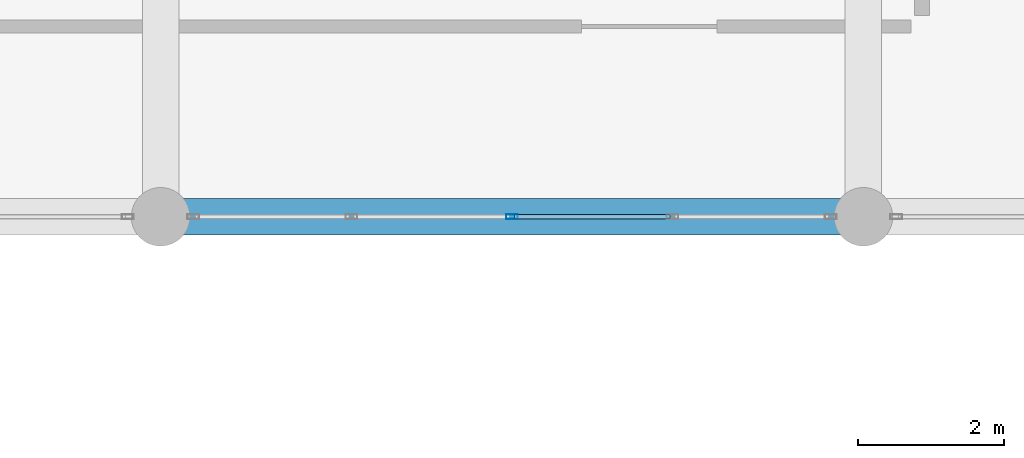
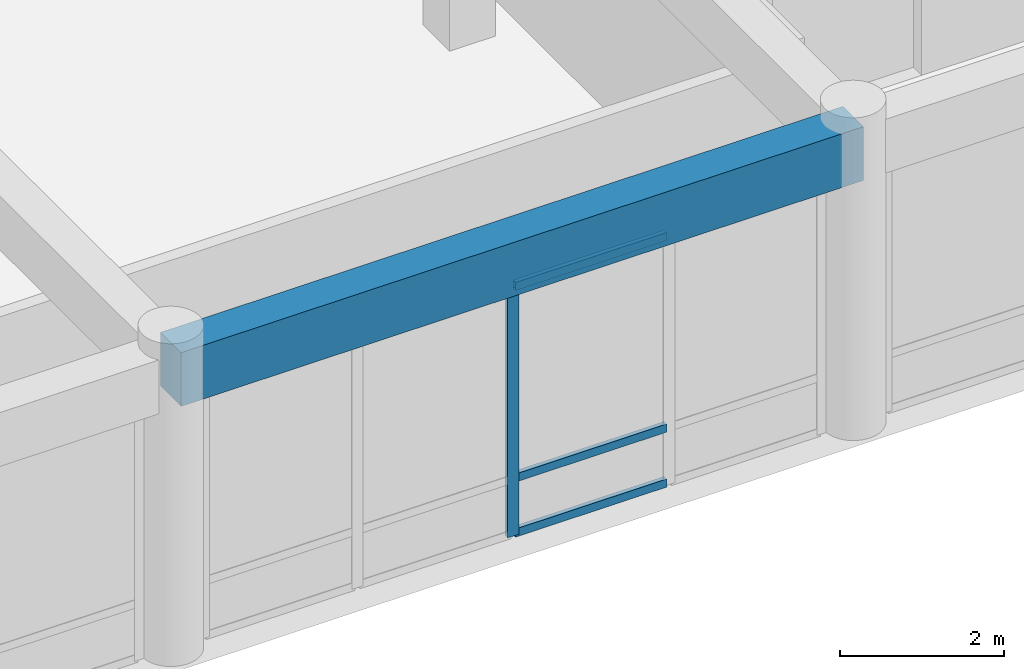
# One storey, part 23 of 101: 4 members, 1 beam, 1 element without a shape of its own.
"""IFC4 building model written with IfcOpenShell, lengths in metres."""

from ifc_helpers import new_model, si_unit, direction, frame, origin, origin_2d, place, context, subcontext, project, spatial, rectangle, hollow_rectangle, extrude, material, layer, layer_set, material_profile, profile_set, type_object, element, aggregate, save


model = new_model("IFC4")

# Units and contexts
model_context = context("Model", 3, precision=1e-05, world=origin(), true_north=direction((0.0, 1.0)))
body_context = subcontext(model_context, "Body", "Model", "MODEL_VIEW")
ifc_project = project(units=[si_unit("LENGTHUNIT", "METRE"), si_unit("AREAUNIT", "SQUARE_METRE"), si_unit("VOLUMEUNIT", "CUBIC_METRE"), si_unit("PLANEANGLEUNIT", "RADIAN"), si_unit("MASSUNIT", "GRAM", prefix="KILO")], contexts=[model_context])

# Site, building, storey
site_placement = place(None, origin())
site = spatial("IfcSite", under=ifc_project, at=site_placement, CompositionType="ELEMENT")
building_placement = place(site_placement, origin())
building = spatial("IfcBuilding", under=site, at=building_placement, Name="Nakhvara Creek Congress Hotel", CompositionType="ELEMENT")
storey_placement = place(building_placement, frame((0.0, 0.0, 16.199951171875)))
storey = spatial("IfcBuildingStorey", under=building, at=storey_placement, Name="L03", CompositionType="ELEMENT", Elevation=16.199951171875)

# Beam
ifc_material_1 = material(Name="Concrete C40/50", Category="concrete")
ifc_material_profile_1 = material_profile(ifc_material_1, rectangle(XDim=0.5, YDim=0.800048828125, at=origin_2d()), Name="RC-BM 500x800", Category="LoadBearing")
ifc_profile_set_1 = profile_set([ifc_material_profile_1], Name="Concrete C40/50")
beam_type = type_object("IfcBeamType", Name="BM-RC-500X800", PredefinedType="BEAM", material=ifc_profile_set_1)
beam_placement = place(storey_placement, frame((105.60009765625, 76.800048828125, 4.14013671875), z_axis=(1.0, 0.0, 0.0), x_axis=(0.0, 1.0, 0.0)))
element("IfcBeam", 1, at=beam_placement, inside=storey, type_object=beam_type, Name="Beam B03-L03-1746", PredefinedType="BEAM", context=body_context, shape_type="SweptSolid", body=[
    extrude(rectangle(XDim=0.5, YDim=0.800048828125, at=origin_2d()), origin(), (0.0, 0.0, 1.0), 9.599853515625),
])

# Curtain wall, members
ifc_material_2 = material(Name="Bronze-anodised aluminium AW-6063-T6 and double-silver low-E glass", Category="aluminium")
ifc_layer = layer(ifc_material_2, 0.199951171875)
ifc_layer_set = layer_set([ifc_layer], Name="Bronze-anodised aluminium AW-6063-T6 and double-silver low-E glass")
curtain_wall_type = type_object("IfcCurtainWallType", Name="CW-POD-STICK", PredefinedType="NOTDEFINED", material=ifc_layer_set)
curtain_wall_placement = place(storey_placement, origin())
curtain_wall = element("IfcCurtainWall", 2, at=curtain_wall_placement, inside=storey, type_object=curtain_wall_type, Name="Curtain Wall CW056", PredefinedType="NOTDEFINED")
ifc_material_3 = material(Name="Bronze-anodised aluminium AW-6063-T6", Category="aluminium")
ifc_material_profile_2 = material_profile(ifc_material_3, hollow_rectangle(XDim=0.06494140625, YDim=0.159912109375, WallThickness=0.00390625, at=origin_2d()), Name="ALU-MULL 65x160x4", Category="LoadBearing")
ifc_profile_set_2 = profile_set([ifc_material_profile_2], Name="Bronze-anodised aluminium AW-6063-T6")
member_type_1 = type_object("IfcMemberType", Name="CW-MULL-160", PredefinedType="MULLION", material=ifc_profile_set_2)
member_1_placement = place(storey_placement, frame((110.39990234375, 76.800048828125, 0.0), z_axis=(0.0, 0.0, 1.0), x_axis=(0.0, -1.0, 0.0)))
member_1 = element("IfcMember", 3, at=member_1_placement, type_object=member_type_1, Name="CW056 mullion 3", PredefinedType="MULLION", context=body_context, shape_type="SweptSolid", body=[
    extrude(hollow_rectangle(XDim=0.06494140625, YDim=0.159912109375, WallThickness=0.00390625, at=origin_2d()), origin(), (0.0, 0.0, 1.0), 3.73193359375),
])
ifc_material_profile_3 = material_profile(ifc_material_3, hollow_rectangle(XDim=0.06494140625, YDim=0.1201171875, WallThickness=0.00390625, at=origin_2d()), Name="ALU-TRAN 65x120x4", Category="LoadBearing")
ifc_profile_set_3 = profile_set([ifc_material_profile_3], Name="Bronze-anodised aluminium AW-6063-T6")
member_type_2 = type_object("IfcMemberType", Name="CW-TRAN-120", PredefinedType="USERDEFINED", material=ifc_profile_set_3)
member_2_placement = place(storey_placement, frame((112.56005859375, 76.800048828125, 0.032470703125), z_axis=(-1.0, 0.0, 0.0), x_axis=(0.0, -1.0, 0.0)))
member_2 = element("IfcMember", 4, at=member_2_placement, type_object=member_type_2, Name="CW056 transom 2.1", ObjectType="TRANSOM", PredefinedType="USERDEFINED", context=body_context, shape_type="SweptSolid", body=[
    extrude(hollow_rectangle(XDim=0.06494140625, YDim=0.1201171875, WallThickness=0.00390625, at=origin_2d()), origin(), (0.0, 0.0, 1.0), 2.12744140625),
])
member_3_placement = place(storey_placement, frame((112.56005859375, 76.800048828125, 0.85009765625), z_axis=(-1.0, 0.0, 0.0), x_axis=(0.0, -1.0, 0.0)))
member_3 = element("IfcMember", 5, at=member_3_placement, type_object=member_type_2, Name="CW056 transom 2.2", ObjectType="TRANSOM", PredefinedType="USERDEFINED", context=body_context, shape_type="SweptSolid", body=[
    extrude(hollow_rectangle(XDim=0.06494140625, YDim=0.1201171875, WallThickness=0.00390625, at=origin_2d()), origin(), (0.0, 0.0, 1.0), 2.12744140625),
])
member_4_placement = place(storey_placement, frame((112.56005859375, 76.800048828125, 3.699462890625), z_axis=(-1.0, 0.0, 0.0), x_axis=(0.0, -1.0, 0.0)))
member_4 = element("IfcMember", 6, at=member_4_placement, type_object=member_type_2, Name="CW056 transom 2.3", ObjectType="TRANSOM", PredefinedType="USERDEFINED", context=body_context, shape_type="SweptSolid", body=[
    extrude(hollow_rectangle(XDim=0.06494140625, YDim=0.1201171875, WallThickness=0.00390625, at=origin_2d()), origin(), (0.0, 0.0, 1.0), 2.12744140625),
])
aggregate(curtain_wall, [member_1, member_2, member_3, member_4])

save(model, "model.ifc")
